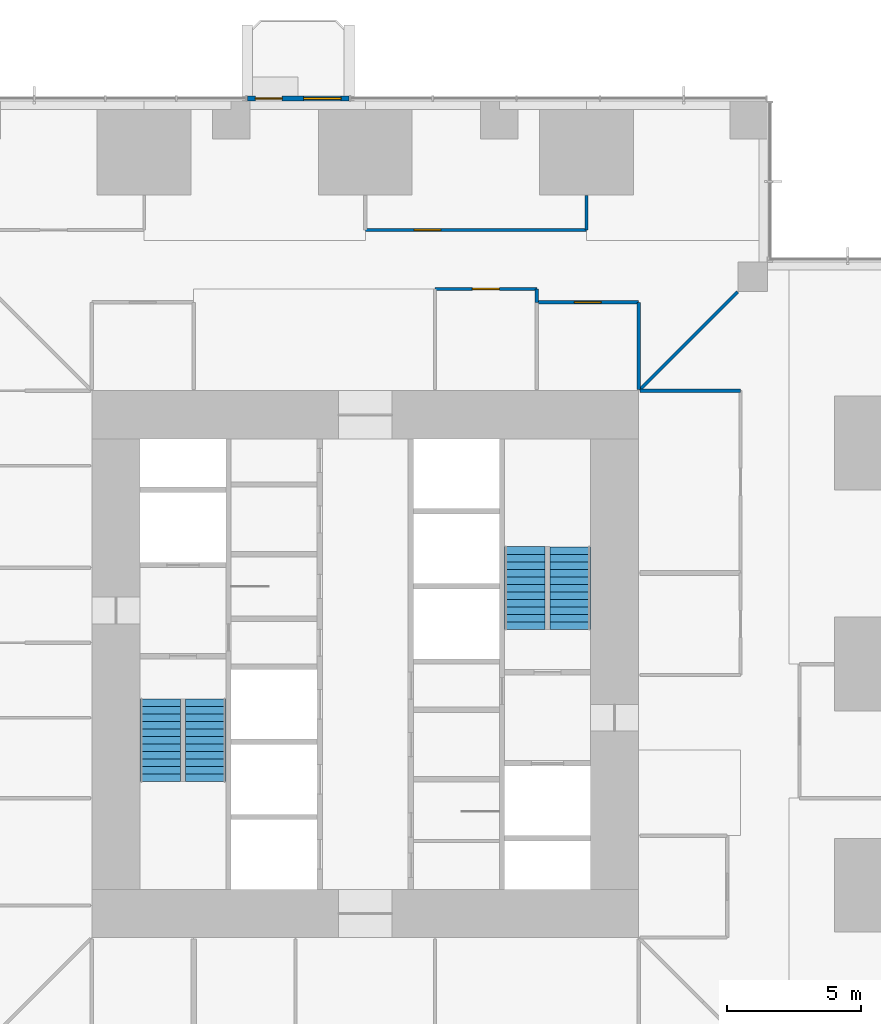
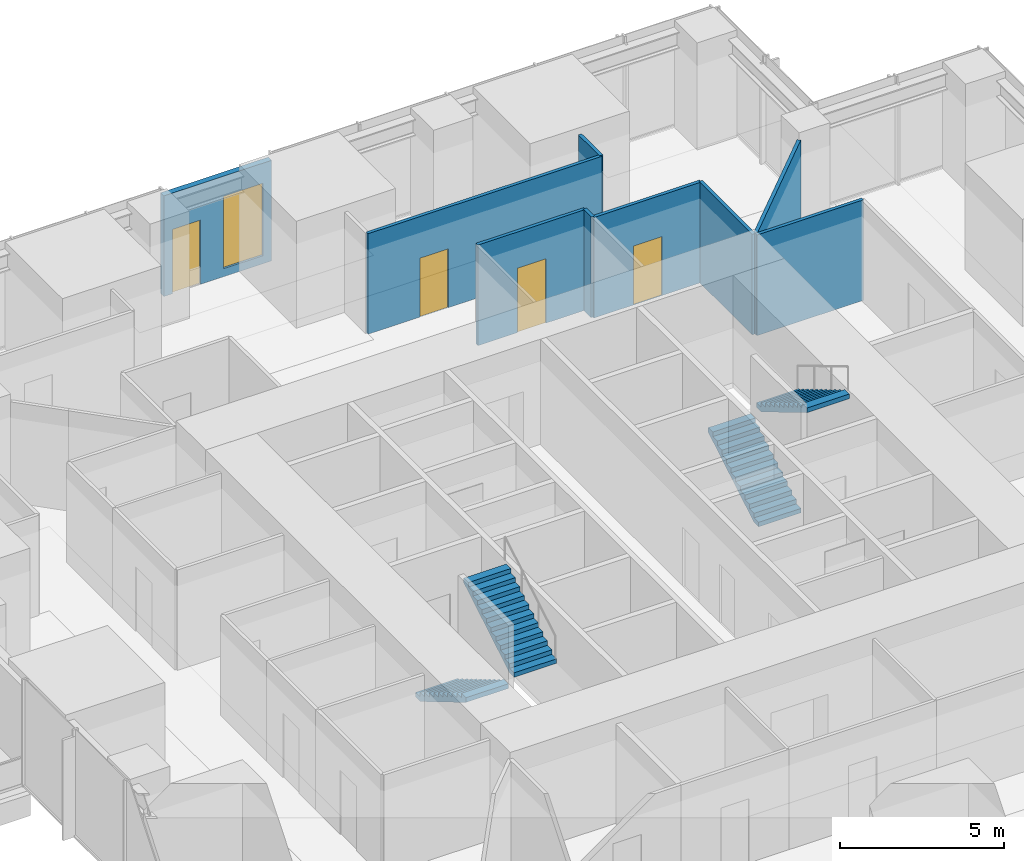
# One storey, part 12 of 15: 9 walls, 4 doors, 4 stair flights, 1 window, 5 openings, 2 elements without a shape of their own.
"""IFC4 building model written with IfcOpenShell, lengths in metres."""

import ifcopenshell
import ifcopenshell.guid

model = None  # the IFC model being written
_history = None  # IfcOwnerHistory: only IFC2X3 demands one
_inside = {}  # id of a spatial element -> (the spatial element, [elements in it])
_under = {}  # id of a project, library or spatial element -> (it, [spatial elements below it])
_declared = {}  # id of a project -> (the project, [libraries it declares])
_typed = {}  # id of a type object -> (the type object, [elements of that type])
_made_of = {}  # id of a material, layer set ... -> (it, [elements and type objects made of it])


def new_model(schema):
    """Start an empty IFC model of exactly this schema.

    Asked for "IFC4X3", IfcOpenShell would pick the latest addendum, in which some entities
    have other attributes; the version numbers below select the first issue.
    IFC2X3 requires an IfcOwnerHistory on every rooted entity: one is made here for all.
    """
    global model, _history
    if schema == "IFC4X3":
        model = ifcopenshell.file(schema_version=(4, 3, 0, 0))
    else:
        model = ifcopenshell.file(schema=schema)
    _inside.clear()
    _under.clear()
    _declared.clear()
    _typed.clear()
    _made_of.clear()
    _history = None
    if model.schema == "IFC2X3":
        org = make("IfcOrganization", Name="unknown")
        user = make(
            "IfcPersonAndOrganization",
            ThePerson=make("IfcPerson", FamilyName="unknown"),
            TheOrganization=org,
        )
        app = make(
            "IfcApplication",
            ApplicationDeveloper=org,
            Version="unknown",
            ApplicationFullName="unknown",
            ApplicationIdentifier="unknown",
        )
        _history = make(
            "IfcOwnerHistory",
            OwningUser=user,
            OwningApplication=app,
            ChangeAction="ADDED",
            CreationDate=0,
        )
    return model


def make(cls, **values):
    """One entity of the class cls with the attributes given. An attribute that is None is left unset."""
    return model.create_entity(
        cls, **{name: value for name, value in values.items() if value is not None}
    )


def rooted(cls, **values):
    """An entity with a GlobalId (a new one), such as an element, a storey or a relation."""
    return make(cls, GlobalId=ifcopenshell.guid.new(), OwnerHistory=_history, **values)


def si_unit(unit_type, name, prefix=None):
    """IfcSIUnit, for example si_unit("LENGTHUNIT", "METRE", prefix="MILLI")."""
    return make("IfcSIUnit", UnitType=unit_type, Prefix=prefix, Name=name)


def assignment(units):
    """IfcUnitAssignment: the units of a project."""
    return None if units is None else make("IfcUnitAssignment", Units=units)


def point(xyz):
    """IfcCartesianPoint."""
    return None if xyz is None else make("IfcCartesianPoint", Coordinates=xyz)


def direction(xyz):
    """IfcDirection."""
    return None if xyz is None else make("IfcDirection", DirectionRatios=xyz)


def frame(location, z_axis=None, x_axis=None):
    """IfcAxis2Placement3D, a coordinate frame: its origin and axes. An axis left out is left unset."""
    return make(
        "IfcAxis2Placement3D",
        Location=point(location),
        Axis=direction(z_axis),
        RefDirection=direction(x_axis),
    )


def frame_2d(location, x_axis=None):
    """IfcAxis2Placement2D, a coordinate frame in the plane: its origin and x axis."""
    return make(
        "IfcAxis2Placement2D", Location=point(location), RefDirection=direction(x_axis)
    )


def origin():
    """The frame at (0, 0, 0) with its axes left unset."""
    return frame((0.0, 0.0, 0.0))


def place(relative_to, where):
    """IfcLocalPlacement: puts the frame where relative to a parent placement (None: the world)."""
    return make(
        "IfcLocalPlacement", PlacementRelTo=relative_to, RelativePlacement=where
    )


def context(
    kind, dimensions, precision=None, world=None, true_north=None, identifier=None
):
    """IfcGeometricRepresentationContext, for example the 3D "Model" context."""
    return make(
        "IfcGeometricRepresentationContext",
        ContextIdentifier=identifier,
        ContextType=kind,
        CoordinateSpaceDimension=dimensions,
        Precision=precision,
        WorldCoordinateSystem=world,
        TrueNorth=true_north,
    )


def subcontext(parent, identifier, kind, view, scale=None):
    """IfcGeometricRepresentationSubContext, for example "Body" below "Model"."""
    return make(
        "IfcGeometricRepresentationSubContext",
        ContextIdentifier=identifier,
        ContextType=kind,
        ParentContext=parent,
        TargetScale=scale,
        TargetView=view,
    )


def project(units=None, contexts=None):
    """IfcProject with its units and contexts."""
    return rooted(
        "IfcProject",
        Name="project",
        RepresentationContexts=contexts,
        UnitsInContext=assignment(units),
    )


def spatial(cls, under=None, at=None, **own):
    """A site, building, storey or space (cls), placed at a placement, below another one or the project."""
    s = rooted(cls, ObjectPlacement=at, **own)
    if under is not None:
        _under.setdefault(under.id(), (under, []))[1].append(s)
    return s


def polyline(points):
    """IfcPolyline through the points."""
    return make("IfcPolyline", Points=[point(p) for p in points])


def profile(cls, at=None, kind="AREA", **sizes):
    """A parametric profile (cls). Its sizes go by their IFC names, for example OverallWidth=200.0."""
    return make(cls, ProfileType=kind, Position=at, **sizes)


def rectangle(**sizes):
    """IfcRectangleProfileDef."""
    return profile("IfcRectangleProfileDef", **sizes)


def outline(outer, holes=None, kind="AREA"):
    """IfcArbitraryClosedProfileDef: a profile drawn as a closed curve; with holes, ...WithVoids."""
    if holes is None:
        return make("IfcArbitraryClosedProfileDef", ProfileType=kind, OuterCurve=outer)
    return make(
        "IfcArbitraryProfileDefWithVoids",
        ProfileType=kind,
        OuterCurve=outer,
        InnerCurves=holes,
    )


def extrude(swept, where, along, depth):
    """IfcExtrudedAreaSolid: the profile swept, set in the frame where, extruded along a direction by depth."""
    return make(
        "IfcExtrudedAreaSolid",
        SweptArea=swept,
        Position=where,
        ExtrudedDirection=direction(along),
        Depth=depth,
    )


def shape(context_of_items, identifier, shape_type, items):
    """IfcShapeRepresentation: the items that make up one representation, for example the "Body"."""
    return make(
        "IfcShapeRepresentation",
        ContextOfItems=context_of_items,
        RepresentationIdentifier=identifier,
        RepresentationType=shape_type,
        Items=items,
    )


def material(Name=None, Category=None):
    """IfcMaterial."""
    return make("IfcMaterial", Name=Name, Category=Category)


def layer(
    of_material, thickness, ventilated=None, Name=None, Category=None, Priority=None
):
    """IfcMaterialLayer: one layer of a wall or slab, of a material (None: an air gap)."""
    return make(
        "IfcMaterialLayer",
        Material=of_material,
        LayerThickness=thickness,
        IsVentilated=ventilated,
        Name=Name,
        Category=Category,
        Priority=Priority,
    )


def layer_set(layers, Name=None):
    """IfcMaterialLayerSet."""
    return make("IfcMaterialLayerSet", MaterialLayers=layers, LayerSetName=Name)


def made_of(thing, what):
    """Note that an element or type object is made of a material, layer set ...; save() writes the relation."""
    if what is not None:
        _made_of.setdefault(what.id(), (what, []))[1].append(thing)
    return thing


def type_object(cls, material=None, **own):
    """A type object (cls), such as IfcWallType, which elements share."""
    return made_of(rooted(cls, **own), material)


def element(
    cls,
    number,
    at=None,
    inside=None,
    cuts=None,
    type_object=None,
    material=None,
    context=None,
    identifier="Body",
    shape_type=None,
    held_by="IfcProductDefinitionShape",
    body=None,
    shapes=None,
    **own,
):
    """One element of the class cls, such as IfcWall. Its Tag is "e" and its number.

    at: its placement. inside: the storey or other place that contains it. cuts: it is an
    opening in that element (IfcRelVoidsElement). A single representation is given by context,
    identifier, shape_type and body (its items); several are given by shapes. held_by: the class
    of the entity that holds the representations. save() writes the other relations.
    """
    e = rooted(cls, Tag="e%d" % number, ObjectPlacement=at, **own)
    if body is not None:
        shapes = [shape(context, identifier, shape_type, body)]
    if shapes is not None:
        e.Representation = make(held_by, Representations=shapes)
    if inside is not None:
        _inside.setdefault(inside.id(), (inside, []))[1].append(e)
    if cuts is not None:
        rooted(
            "IfcRelVoidsElement", RelatingBuildingElement=cuts, RelatedOpeningElement=e
        )
    if type_object is not None:
        _typed.setdefault(type_object.id(), (type_object, []))[1].append(e)
    return made_of(e, material)


def fill(opening, filler):
    """IfcRelFillsElement: the door or window that sits in an opening."""
    return rooted(
        "IfcRelFillsElement",
        RelatingOpeningElement=opening,
        RelatedBuildingElement=filler,
    )


def aggregate(whole, parts):
    """IfcRelAggregates: a whole, such as a stair, and the parts it consists of."""
    return rooted("IfcRelAggregates", RelatingObject=whole, RelatedObjects=parts)


def save(model, path):
    """Write the relations noted so far, then the file.

    IfcRelAggregates (storeys below a building ...), IfcRelContainedInSpatialStructure (elements
    in a storey), IfcRelDefinesByType, IfcRelAssociatesMaterial and IfcRelDeclares: one each for
    every whole, place, type object, material and project.
    """
    for whole, parts in _under.values():
        aggregate(whole, parts)
    for where, things in _inside.values():
        rooted(
            "IfcRelContainedInSpatialStructure",
            RelatedElements=things,
            RelatingStructure=where,
        )
    for kind, things in _typed.values():
        rooted("IfcRelDefinesByType", RelatedObjects=things, RelatingType=kind)
    for what, things in _made_of.values():
        rooted("IfcRelAssociatesMaterial", RelatedObjects=things, RelatingMaterial=what)
    for by, libraries in _declared.values():
        rooted("IfcRelDeclares", RelatingContext=by, RelatedDefinitions=libraries)
    model.write(path)


model = new_model("IFC4")

# Units and contexts
model_context = context("Model", 3, precision=1e-05, world=origin(), true_north=direction((0.0, 1.0)))
body_context = subcontext(model_context, "Body", "Model", "MODEL_VIEW")
ifc_project = project(units=[si_unit("LENGTHUNIT", "METRE"), si_unit("AREAUNIT", "SQUARE_METRE"), si_unit("VOLUMEUNIT", "CUBIC_METRE"), si_unit("PLANEANGLEUNIT", "RADIAN"), si_unit("MASSUNIT", "GRAM", prefix="KILO")], contexts=[model_context])

# Site, building, storey
site_placement = place(None, origin())
site = spatial("IfcSite", under=ifc_project, at=site_placement, CompositionType="ELEMENT")
building_placement = place(site_placement, origin())
building = spatial("IfcBuilding", under=site, at=building_placement, Name="Svetlomir Tower", CompositionType="ELEMENT")
storey_placement = place(building_placement, frame((0.0, 0.0, 74.5)))
storey = spatial("IfcBuildingStorey", under=building, at=storey_placement, Name="L17", CompositionType="ELEMENT", Elevation=74.5)

# Wall, openings, door, window
ifc_material_1 = material(Name="Bronze anodised aluminium glazed screen", Category="aluminium")
ifc_layer_1 = layer(ifc_material_1, 0.199951171875)
ifc_layer_set_1 = layer_set([ifc_layer_1], Name="Bronze anodised aluminium glazed screen")
wall_type_1 = type_object("IfcWallType", Name="BALCONY SCREEN WALL 200", PredefinedType="USERDEFINED", material=ifc_layer_set_1)
wall_1_placement = place(storey_placement, frame((20.39990234375, 42.10009765625, 0.0), z_axis=(0.0, 0.0, 1.0), x_axis=(-1.0, 0.0, 0.0)))
wall_1 = element("IfcWall", 1, at=wall_1_placement, inside=storey, type_object=wall_type_1, Name="Balcony screen N", ObjectType="GLAZED SCREEN", PredefinedType="USERDEFINED", context=body_context, shape_type="SweptSolid", body=[
    extrude(rectangle(XDim=3.7998046875, YDim=0.199951171875, at=frame_2d((1.89990234375, 0.0))), origin(), (0.0, 0.0, 1.0), 3.75),
])
opening_1_placement = place(wall_1_placement, frame((2.5, 0.0, 0.0)))
opening_1 = element("IfcOpeningElement", 2, at=opening_1_placement, cuts=wall_1, Name="Opening BD", PredefinedType="OPENING", context=body_context, shape_type="SweptSolid", body=[
    extrude(rectangle(XDim=1.0, YDim=2.39990234375, at=frame_2d((0.5, 1.199951171875))), frame((0.0, 0.10986328125, 0.0), z_axis=(0.0, -1.0, 0.0), x_axis=(1.0, 0.0, 0.0)), (0.0, 0.0, 1.0), 0.219970703125),
])
opening_2_placement = place(wall_1_placement, frame((0.300048828125, 0.0, 0.300048828125)))
opening_2 = element("IfcOpeningElement", 3, at=opening_2_placement, cuts=wall_1, Name="Opening WS2", PredefinedType="OPENING", context=body_context, shape_type="SweptSolid", body=[
    extrude(rectangle(XDim=1.39990234375, YDim=2.699951171875, at=frame_2d((0.699951171875, 1.35009765625))), frame((0.0, 0.10986328125, 0.0), z_axis=(0.0, -1.0, 0.0), x_axis=(1.0, 0.0, 0.0)), (0.0, 0.0, 1.0), 0.219970703125),
])
ifc_material_2 = material(Name="Bronze anodised aluminium glazed door", Category="aluminium")
door_type_1 = type_object("IfcDoorType", Name="BALCONY DOOR BD 1000x2400", OperationType="SINGLE_SWING_LEFT", PredefinedType="DOOR", material=ifc_material_2)
door_1_placement = place(opening_1_placement, origin())
door_1 = element("IfcDoor", 4, at=door_1_placement, inside=storey, type_object=door_type_1, Name="Balcony screen N door", OperationType="SINGLE_SWING_LEFT", OverallHeight=2.39990234375, OverallWidth=1.0, PredefinedType="DOOR", context=body_context, shape_type="SweptSolid", body=[
    extrude(rectangle(XDim=1.0, YDim=2.39990234375, at=frame_2d((0.5, 1.199951171875))), frame((0.0, 0.02490234375, 0.0), z_axis=(0.0, -1.0, 0.0), x_axis=(1.0, 0.0, 0.0)), (0.0, 0.0, 1.0), 0.050048828125),
])
fill(opening_1, door_1)
ifc_material_3 = material(Name="Bronze anodised aluminium window", Category="aluminium")
window_type = type_object("IfcWindowType", Name="SCREEN WINDOW WS2 1400x2700", PartitioningType="SINGLE_PANEL", PredefinedType="WINDOW", material=ifc_material_3)
window_placement = place(opening_2_placement, origin())
window = element("IfcWindow", 5, at=window_placement, inside=storey, type_object=window_type, Name="Balcony screen N window 1", OverallHeight=2.699951171875, OverallWidth=1.39990234375, PartitioningType="SINGLE_PANEL", PredefinedType="WINDOW", context=body_context, shape_type="SweptSolid", body=[
    extrude(rectangle(XDim=1.39990234375, YDim=2.699951171875, at=frame_2d((0.699951171875, 1.35009765625))), frame((0.0, 0.030029296875, 0.0), z_axis=(0.0, -1.0, 0.0), x_axis=(1.0, 0.0, 0.0)), (0.0, 0.0, 1.0), 0.06005859375),
])
fill(opening_2, window)

# Wall, opening, door
ifc_material_4 = material(Name="Gypsum board on steel studs", Category="steel")
ifc_layer_2 = layer(ifc_material_4, 0.1201171875)
ifc_layer_set_2 = layer_set([ifc_layer_2], Name="Gypsum board on steel studs")
wall_type_2 = type_object("IfcWallType", Name="PARTITION 120", PredefinedType="PARTITIONING", material=ifc_layer_set_2)
wall_2_placement = place(storey_placement, frame((21.0, 37.199951171875, 0.0), z_axis=(0.0, 0.0, 1.0), x_axis=(1.0, 0.0, 0.0)))
wall_2 = element("IfcWall", 6, at=wall_2_placement, inside=storey, type_object=wall_type_2, Name="Partition L17", PredefinedType="PARTITIONING", context=body_context, shape_type="SweptSolid", body=[
    extrude(rectangle(XDim=8.25, YDim=0.1201171875, at=frame_2d((4.125, 0.0))), origin(), (0.0, 0.0, 1.0), 3.75),
])
opening_3_placement = place(wall_2_placement, frame((1.824951171875, 0.0, 0.0)))
opening_3 = element("IfcOpeningElement", 7, at=opening_3_placement, cuts=wall_2, Name="Opening DR", PredefinedType="OPENING", context=body_context, shape_type="SweptSolid", body=[
    extrude(rectangle(XDim=1.0, YDim=2.199951171875, at=frame_2d((0.5, 1.10009765625))), frame((0.0, 0.070068359375, 0.0), z_axis=(0.0, -1.0, 0.0), x_axis=(1.0, 0.0, 0.0)), (0.0, 0.0, 1.0), 0.14013671875),
])
ifc_material_5 = material(Name="Timber door, glazed side light", Category="wood")
door_type_2 = type_object("IfcDoorType", Name="DOOR DR 1000x2200", OperationType="SINGLE_SWING_LEFT", PredefinedType="DOOR", material=ifc_material_5)
door_2_placement = place(opening_3_placement, origin())
door_2 = element("IfcDoor", 8, at=door_2_placement, inside=storey, type_object=door_type_2, Name="Model room door L17", OperationType="SINGLE_SWING_LEFT", OverallHeight=2.199951171875, OverallWidth=1.0, PredefinedType="DOOR", context=body_context, shape_type="SweptSolid", body=[
    extrude(rectangle(XDim=1.0, YDim=2.199951171875, at=frame_2d((0.5, 1.10009765625))), frame((0.0, 0.02490234375, 0.0), z_axis=(0.0, -1.0, 0.0), x_axis=(1.0, 0.0, 0.0)), (0.0, 0.0, 1.0), 0.050048828125),
])
fill(opening_3, door_2)

wall_3_placement = place(storey_placement, frame((23.60009765625, 35.0, 0.0), z_axis=(0.0, 0.0, 1.0), x_axis=(1.0, 0.0, 0.0)))
wall_3 = element("IfcWall", 9, at=wall_3_placement, inside=storey, type_object=wall_type_2, Name="Partition L17", PredefinedType="PARTITIONING", context=body_context, shape_type="SweptSolid", body=[
    extrude(rectangle(XDim=3.7998046875, YDim=0.1201171875, at=frame_2d((1.89990234375, 0.0))), origin(), (0.0, 0.0, 1.0), 3.75),
])
opening_4_placement = place(wall_3_placement, frame((1.39990234375, 0.0, 0.0)))
opening_4 = element("IfcOpeningElement", 10, at=opening_4_placement, cuts=wall_3, Name="Opening DG", PredefinedType="OPENING", context=body_context, shape_type="SweptSolid", body=[
    extrude(rectangle(XDim=1.0, YDim=2.39990234375, at=frame_2d((0.5, 1.199951171875))), frame((0.0, 0.070068359375, 0.0), z_axis=(0.0, -1.0, 0.0), x_axis=(1.0, 0.0, 0.0)), (0.0, 0.0, 1.0), 0.14013671875),
])
ifc_material_6 = material(Name="Framed laminated glass door", Category="glass")
door_type_3 = type_object("IfcDoorType", Name="GLAZED DOOR DG 1000x2400", OperationType="SINGLE_SWING_LEFT", PredefinedType="DOOR", material=ifc_material_6)
door_3_placement = place(opening_4_placement, origin())
door_3 = element("IfcDoor", 11, at=door_3_placement, inside=storey, type_object=door_type_3, Name="Focus room 2 door L17", OperationType="SINGLE_SWING_LEFT", OverallHeight=2.39990234375, OverallWidth=1.0, PredefinedType="DOOR", context=body_context, shape_type="SweptSolid", body=[
    extrude(rectangle(XDim=1.0, YDim=2.39990234375, at=frame_2d((0.5, 1.199951171875))), frame((0.0, 0.02490234375, 0.0), z_axis=(0.0, -1.0, 0.0), x_axis=(1.0, 0.0, 0.0)), (0.0, 0.0, 1.0), 0.050048828125),
])
fill(opening_4, door_3)

# Wall
wall_4_placement = place(storey_placement, frame((27.39990234375, 34.5, 0.0), z_axis=(0.0, 0.0, 1.0), x_axis=(0.0, 1.0, 0.0)))
element("IfcWall", 12, at=wall_4_placement, inside=storey, type_object=wall_type_2, Name="Partition L17", PredefinedType="PARTITIONING", context=body_context, shape_type="SweptSolid", body=[
    extrude(rectangle(XDim=0.5, YDim=0.1201171875, at=frame_2d((0.25, 0.0))), origin(), (0.0, 0.0, 1.0), 3.75),
])

# Wall, opening, door
wall_5_placement = place(storey_placement, frame((27.39990234375, 34.5, 0.0), z_axis=(0.0, 0.0, 1.0), x_axis=(1.0, 0.0, 0.0)))
wall_5 = element("IfcWall", 13, at=wall_5_placement, inside=storey, type_object=wall_type_2, Name="Partition L17", PredefinedType="PARTITIONING", context=body_context, shape_type="SweptSolid", body=[
    extrude(rectangle(XDim=3.800048828125, YDim=0.1201171875, at=frame_2d((1.89990234375, 0.0))), origin(), (0.0, 0.0, 1.0), 3.75),
])
opening_5_placement = place(wall_5_placement, frame((1.39990234375, 0.0, 0.0)))
opening_5 = element("IfcOpeningElement", 14, at=opening_5_placement, cuts=wall_5, Name="Opening DR", PredefinedType="OPENING", context=body_context, shape_type="SweptSolid", body=[
    extrude(rectangle(XDim=1.0, YDim=2.199951171875, at=frame_2d((0.5, 1.10009765625))), frame((0.0, 0.070068359375, 0.0), z_axis=(0.0, -1.0, 0.0), x_axis=(1.0, 0.0, 0.0)), (0.0, 0.0, 1.0), 0.14013671875),
])
door_4_placement = place(opening_5_placement, origin())
door_4 = element("IfcDoor", 15, at=door_4_placement, inside=storey, type_object=door_type_2, Name="Print and plot room door L17", OperationType="SINGLE_SWING_RIGHT", OverallHeight=2.199951171875, OverallWidth=1.0, PredefinedType="DOOR", context=body_context, shape_type="SweptSolid", body=[
    extrude(rectangle(XDim=1.0, YDim=2.199951171875, at=frame_2d((0.5, 1.10009765625))), frame((0.0, 0.02490234375, 0.0), z_axis=(0.0, -1.0, 0.0), x_axis=(1.0, 0.0, 0.0)), (0.0, 0.0, 1.0), 0.050048828125),
])
fill(opening_5, door_4)

# Walls
wall_6_placement = place(storey_placement, frame((29.25, 37.199951171875, 0.0), z_axis=(0.0, 0.0, 1.0), x_axis=(0.0, 1.0, 0.0)))
element("IfcWall", 16, at=wall_6_placement, inside=storey, type_object=wall_type_2, Name="Partition L17", PredefinedType="PARTITIONING", context=body_context, shape_type="SweptSolid", body=[
    extrude(rectangle(XDim=1.2900390625, YDim=0.1201171875, at=frame_2d((0.64501953125, 0.0))), origin(), (0.0, 0.0, 1.0), 3.75),
])
wall_7_placement = place(storey_placement, frame((31.199951171875, 31.25, 0.0), z_axis=(0.0, 0.0, 1.0), x_axis=(0.0, 1.0, 0.0)))
element("IfcWall", 17, at=wall_7_placement, inside=storey, type_object=wall_type_2, Name="Partition L17", PredefinedType="PARTITIONING", context=body_context, shape_type="SweptSolid", body=[
    extrude(rectangle(XDim=3.25, YDim=0.1201171875, at=frame_2d((1.625, 0.0))), origin(), (0.0, 0.0, 1.0), 3.75),
])
wall_8_placement = place(storey_placement, frame((31.2353515625, 31.2353515625, 0.0), z_axis=(0.0, 0.0, 1.0), x_axis=(0.707106781187, 0.707106781187, 0.0)))
element("IfcWall", 18, at=wall_8_placement, inside=storey, type_object=wall_type_2, Name="Partition L17", PredefinedType="PARTITIONING", context=body_context, shape_type="SweptSolid", body=[
    extrude(rectangle(XDim=5.168212890625, YDim=0.1201171875, at=frame_2d((2.583984375, 0.0))), origin(), (0.0, 0.0, 1.0), 3.75),
])
wall_9_placement = place(storey_placement, frame((31.25, 31.199951171875, 0.0), z_axis=(0.0, 0.0, 1.0), x_axis=(1.0, 0.0, 0.0)))
element("IfcWall", 19, at=wall_9_placement, inside=storey, type_object=wall_type_2, Name="Partition L17", PredefinedType="PARTITIONING", context=body_context, shape_type="SweptSolid", body=[
    extrude(rectangle(XDim=3.75, YDim=0.1201171875, at=frame_2d((1.875, 0.0))), origin(), (0.0, 0.0, 1.0), 3.75),
])

# Stair, stair flights
ifc_material_7 = material(Name="Concrete C60/75", Category="concrete")
stair_type = type_object("IfcStairType", Name="EXIT STAIR 3200 RISE 4000", PredefinedType="HALF_TURN_STAIR", material=ifc_material_7)
stair_1_placement = place(storey_placement, origin())
stair_1 = element("IfcStair", 20, at=stair_1_placement, inside=storey, type_object=stair_type, Name="Stair S1 L17 to L18", PredefinedType="HALF_TURN_STAIR")
ifc_material_8 = material(Name="Concrete C60/75", Category="concrete")
stair_flight_type = type_object("IfcStairFlightType", Name="STAIR FLIGHT 1500 OF 12 RISERS", PredefinedType="STRAIGHT", material=ifc_material_8)
stair_flight_1_placement = place(storey_placement, frame((13.35009765625, 19.699951171875, 0.0), z_axis=(0.0, 0.0, 1.0), x_axis=(0.0, -1.0, 0.0)))
stair_flight_1 = element("IfcStairFlight", 21, at=stair_flight_1_placement, type_object=stair_flight_type, Name="S1 flight 1", NumberOfRisers=12, NumberOfTreads=11, PredefinedType="STRAIGHT", RiserHeight=0.166666667, TreadLength=0.28, context=body_context, shape_type="SweptSolid", body=[
    extrude(outline(polyline([(0.0, 0.0), (0.0, 0.166748046875), (0.280029296875, 0.166748046875), (0.280029296875, 0.333251953125), (0.56005859375, 0.333251953125), (0.56005859375, 0.5), (0.840087890625, 0.5), (0.840087890625, 0.666748046875), (1.1201171875, 0.666748046875), (1.1201171875, 0.833251953125), (1.39990234375, 0.833251953125), (1.39990234375, 1.0), (1.679931640625, 1.0), (1.679931640625, 1.166748046875), (1.9599609375, 1.166748046875), (1.9599609375, 1.333251953125), (2.239990234375, 1.333251953125), (2.239990234375, 1.5), (2.52001953125, 1.5), (2.52001953125, 1.666748046875), (2.800048828125, 1.666748046875), (2.800048828125, 1.833251953125), (3.080078125, 1.833251953125), (3.080078125, 2.0), (3.080078125, 1.658935546875), (0.29296875, 0.0), (0.0, 0.0)])), frame((0.0, 0.75, 0.0), z_axis=(0.0, -1.0, 0.0), x_axis=(1.0, 0.0, 0.0)), (0.0, 0.0, 1.0), 1.5),
])
stair_flight_2_placement = place(storey_placement, frame((15.050048828125, 16.6201171875, 2.0), z_axis=(0.0, 0.0, 1.0), x_axis=(0.0, 1.0, 0.0)))
stair_flight_2 = element("IfcStairFlight", 22, at=stair_flight_2_placement, type_object=stair_flight_type, Name="S1 flight 2", NumberOfRisers=12, NumberOfTreads=11, PredefinedType="STRAIGHT", RiserHeight=0.166666667, TreadLength=0.28, context=body_context, shape_type="SweptSolid", body=[
    extrude(outline(polyline([(0.0, 0.0), (0.0, 0.166748046875), (0.280029296875, 0.166748046875), (0.280029296875, 0.333251953125), (0.56005859375, 0.333251953125), (0.56005859375, 0.5), (0.840087890625, 0.5), (0.840087890625, 0.666748046875), (1.1201171875, 0.666748046875), (1.1201171875, 0.833251953125), (1.39990234375, 0.833251953125), (1.39990234375, 1.0), (1.679931640625, 1.0), (1.679931640625, 1.166748046875), (1.9599609375, 1.166748046875), (1.9599609375, 1.333251953125), (2.239990234375, 1.333251953125), (2.239990234375, 1.5), (2.52001953125, 1.5), (2.52001953125, 1.666748046875), (2.800048828125, 1.666748046875), (2.800048828125, 1.833251953125), (3.080078125, 1.833251953125), (3.080078125, 2.0), (3.080078125, 1.658935546875), (0.29296875, 0.0), (0.0, 0.0)])), frame((0.0, 0.75, 0.0), z_axis=(0.0, -1.0, 0.0), x_axis=(1.0, 0.0, 0.0)), (0.0, 0.0, 1.0), 1.5),
])
aggregate(stair_1, [stair_flight_1, stair_flight_2])

stair_2_placement = place(storey_placement, origin())
stair_2 = element("IfcStair", 23, at=stair_2_placement, inside=storey, type_object=stair_type, Name="Stair S2 L17 to L18", PredefinedType="HALF_TURN_STAIR")
stair_flight_3_placement = place(storey_placement, frame((26.949951171875, 22.300048828125, 0.0), z_axis=(0.0, 0.0, 1.0), x_axis=(0.0, 1.0, 0.0)))
stair_flight_3 = element("IfcStairFlight", 24, at=stair_flight_3_placement, type_object=stair_flight_type, Name="S2 flight 1", NumberOfRisers=12, NumberOfTreads=11, PredefinedType="STRAIGHT", RiserHeight=0.166666667, TreadLength=0.28, context=body_context, shape_type="SweptSolid", body=[
    extrude(outline(polyline([(0.0, 0.0), (0.0, 0.166748046875), (0.280029296875, 0.166748046875), (0.280029296875, 0.333251953125), (0.56005859375, 0.333251953125), (0.56005859375, 0.5), (0.840087890625, 0.5), (0.840087890625, 0.666748046875), (1.1201171875, 0.666748046875), (1.1201171875, 0.833251953125), (1.39990234375, 0.833251953125), (1.39990234375, 1.0), (1.679931640625, 1.0), (1.679931640625, 1.166748046875), (1.9599609375, 1.166748046875), (1.9599609375, 1.333251953125), (2.239990234375, 1.333251953125), (2.239990234375, 1.5), (2.52001953125, 1.5), (2.52001953125, 1.666748046875), (2.800048828125, 1.666748046875), (2.800048828125, 1.833251953125), (3.080078125, 1.833251953125), (3.080078125, 2.0), (3.080078125, 1.658935546875), (0.29296875, 0.0), (0.0, 0.0)])), frame((0.0, 0.75, 0.0), z_axis=(0.0, -1.0, 0.0), x_axis=(1.0, 0.0, 0.0)), (0.0, 0.0, 1.0), 1.5),
])
stair_flight_4_placement = place(storey_placement, frame((28.64990234375, 25.3798828125, 2.0), z_axis=(0.0, 0.0, 1.0), x_axis=(0.0, -1.0, 0.0)))
stair_flight_4 = element("IfcStairFlight", 25, at=stair_flight_4_placement, type_object=stair_flight_type, Name="S2 flight 2", NumberOfRisers=12, NumberOfTreads=11, PredefinedType="STRAIGHT", RiserHeight=0.166666667, TreadLength=0.28, context=body_context, shape_type="SweptSolid", body=[
    extrude(outline(polyline([(0.0, 0.0), (0.0, 0.166748046875), (0.280029296875, 0.166748046875), (0.280029296875, 0.333251953125), (0.56005859375, 0.333251953125), (0.56005859375, 0.5), (0.840087890625, 0.5), (0.840087890625, 0.666748046875), (1.1201171875, 0.666748046875), (1.1201171875, 0.833251953125), (1.39990234375, 0.833251953125), (1.39990234375, 1.0), (1.679931640625, 1.0), (1.679931640625, 1.166748046875), (1.9599609375, 1.166748046875), (1.9599609375, 1.333251953125), (2.239990234375, 1.333251953125), (2.239990234375, 1.5), (2.52001953125, 1.5), (2.52001953125, 1.666748046875), (2.800048828125, 1.666748046875), (2.800048828125, 1.833251953125), (3.080078125, 1.833251953125), (3.080078125, 2.0), (3.080078125, 1.658935546875), (0.29296875, 0.0), (0.0, 0.0)])), frame((0.0, 0.75, 0.0), z_axis=(0.0, -1.0, 0.0), x_axis=(1.0, 0.0, 0.0)), (0.0, 0.0, 1.0), 1.5),
])
aggregate(stair_2, [stair_flight_3, stair_flight_4])

save(model, "model.ifc")
